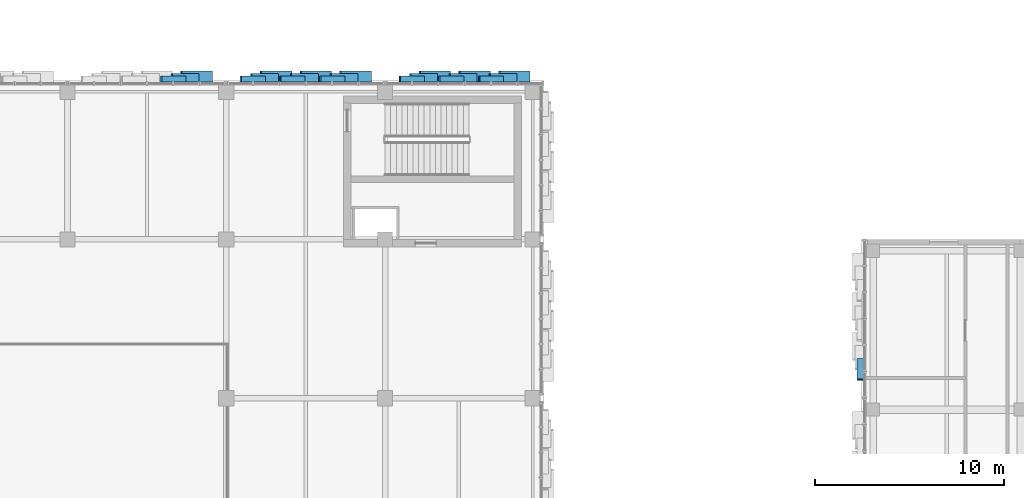
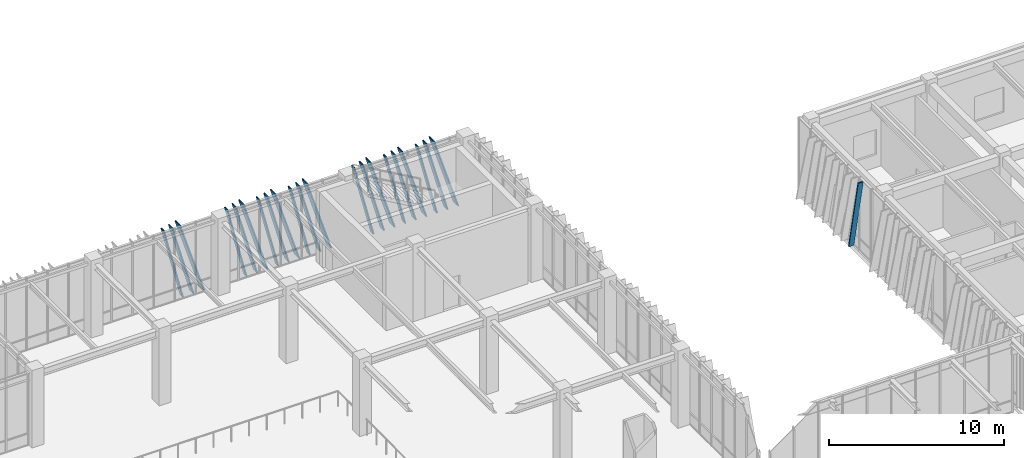
# One storey, part 73 of 139: 22 members, 4 elements without a shape of their own.
"""IFC4 building model written with IfcOpenShell, lengths in metres."""

from ifc_helpers import new_model, si_unit, direction, frame, origin, origin_2d, place, context, subcontext, project, spatial, hollow_rectangle, extrude, material, layer, layer_set, material_profile, profile_set, type_object, element, aggregate, save


model = new_model("IFC4")

# Units and contexts
model_context = context("Model", 3, precision=1e-05, world=origin(), true_north=direction((0.0, 1.0)))
body_context = subcontext(model_context, "Body", "Model", "MODEL_VIEW")
ifc_project = project(units=[si_unit("LENGTHUNIT", "METRE"), si_unit("AREAUNIT", "SQUARE_METRE"), si_unit("VOLUMEUNIT", "CUBIC_METRE"), si_unit("PLANEANGLEUNIT", "RADIAN"), si_unit("MASSUNIT", "GRAM", prefix="KILO")], contexts=[model_context])

# Site, building, storey
site_placement = place(None, origin())
site = spatial("IfcSite", under=ifc_project, at=site_placement, CompositionType="ELEMENT")
building_placement = place(site_placement, origin())
building = spatial("IfcBuilding", under=site, at=building_placement, Name="Zayran Congress Hotel", CompositionType="ELEMENT")
storey_placement = place(building_placement, frame((0.0, 0.0, 5.39990234375)))
storey = spatial("IfcBuildingStorey", under=building, at=storey_placement, Name="L01", CompositionType="ELEMENT", Elevation=5.39990234375)

# Curtain wall, member
ifc_material_1 = material(Name="Anodised aluminium and low-E insulated glass", Category="aluminium")
ifc_layer_1 = layer(ifc_material_1, 0.179931640625)
ifc_layer_set_1 = layer_set([ifc_layer_1], Name="Anodised aluminium and low-E insulated glass")
curtain_wall_type_1 = type_object("IfcCurtainWallType", Name="CW-V1N-L01-CW-22-8360-5080", PredefinedType="USERDEFINED", material=ifc_layer_set_1)
curtain_wall_1_placement = place(storey_placement, origin())
curtain_wall_1 = element("IfcCurtainWall", 1, at=curtain_wall_1_placement, inside=storey, type_object=curtain_wall_type_1, Name="CW-V1N-L01-7", ObjectType="CURTAIN WALL", PredefinedType="USERDEFINED")
ifc_material_2 = material(Name="Warm bronze anodised aluminium", Category="aluminium")
ifc_material_profile_1 = material_profile(ifc_material_2, hollow_rectangle(XDim=0.080078125, YDim=0.580078125, WallThickness=0.006103515625, at=origin_2d()), Name="RHS 580x80x6")
ifc_profile_set_1 = profile_set([ifc_material_profile_1], Name="Warm bronze anodised aluminium")
member_type_1 = type_object("IfcMemberType", Name="TP-RFN-01", PredefinedType="MULLION", material=ifc_profile_set_1)
member_1_placement = place(storey_placement, frame((74.830078125, 118.199951171875, 0.0), z_axis=(-0.300716755525, 0.0, 0.953713496259), x_axis=(0.953713496259, 0.0, 0.300716755525)))
member_1 = element("IfcMember", 2, at=member_1_placement, type_object=member_type_1, Name="Slanting Reed Mullion CW-22-01", PredefinedType="MULLION", context=body_context, shape_type="SweptSolid", body=[
    extrude(hollow_rectangle(XDim=0.080078125, YDim=0.580078125, WallThickness=0.006103515625, at=origin_2d()), origin(), (0.0, 0.0, 1.0), 5.32666015625),
])

# Curtain wall, members
ifc_layer_2 = layer(ifc_material_1, 0.179931640625)
ifc_layer_set_2 = layer_set([ifc_layer_2], Name="Anodised aluminium and low-E insulated glass")
curtain_wall_type_2 = type_object("IfcCurtainWallType", Name="CW-V1N-L01-CW-23-8360-5080", PredefinedType="USERDEFINED", material=ifc_layer_set_2)
curtain_wall_2_placement = place(storey_placement, origin())
curtain_wall_2 = element("IfcCurtainWall", 3, at=curtain_wall_2_placement, inside=storey, type_object=curtain_wall_type_2, Name="CW-V1N-L01-8", ObjectType="CURTAIN WALL", PredefinedType="USERDEFINED")
member_2_placement = place(storey_placement, frame((83.22998046875, 118.199951171875, 0.0), z_axis=(-0.300675065474, 0.0, 0.953726640606), x_axis=(0.953726640606, 0.0, 0.300675065474)))
member_2 = element("IfcMember", 4, at=member_2_placement, type_object=member_type_1, Name="Slanting Reed Mullion CW-23-01", PredefinedType="MULLION", context=body_context, shape_type="SweptSolid", body=[
    extrude(hollow_rectangle(XDim=0.080078125, YDim=0.580078125, WallThickness=0.006103515625, at=origin_2d()), origin(), (0.0, 0.0, 1.0), 5.32666015625),
])
member_3_placement = place(storey_placement, frame((81.1298828125, 118.199951171875, 0.0), z_axis=(-0.300675065474, 0.0, 0.953726640606), x_axis=(0.953726640606, 0.0, 0.300675065474)))
member_3 = element("IfcMember", 5, at=member_3_placement, type_object=member_type_1, Name="Slanting Reed Mullion CW-23-04", PredefinedType="MULLION", context=body_context, shape_type="SweptSolid", body=[
    extrude(hollow_rectangle(XDim=0.080078125, YDim=0.580078125, WallThickness=0.006103515625, at=origin_2d()), origin(), (0.0, 0.0, 1.0), 5.32666015625),
])
member_4_placement = place(storey_placement, frame((79.030029296875, 118.199951171875, 0.0), z_axis=(-0.300716755525, 0.0, 0.953713496259), x_axis=(0.953713496259, 0.0, 0.300716755525)))
member_4 = element("IfcMember", 6, at=member_4_placement, type_object=member_type_1, Name="Slanting Reed Mullion CW-23-07", PredefinedType="MULLION", context=body_context, shape_type="SweptSolid", body=[
    extrude(hollow_rectangle(XDim=0.080078125, YDim=0.580078125, WallThickness=0.006103515625, at=origin_2d()), origin(), (0.0, 0.0, 1.0), 5.32666015625),
])

ifc_layer_3 = layer(ifc_material_1, 0.179931640625)
ifc_layer_set_3 = layer_set([ifc_layer_3], Name="Anodised aluminium and low-E insulated glass")
curtain_wall_type_3 = type_object("IfcCurtainWallType", Name="CW-V1N-L01-CW-21-8360-5080", PredefinedType="USERDEFINED", material=ifc_layer_set_3)
curtain_wall_3_placement = place(storey_placement, origin())
curtain_wall_3 = element("IfcCurtainWall", 7, at=curtain_wall_3_placement, inside=storey, type_object=curtain_wall_type_3, Name="CW-V1N-L01-9", ObjectType="CURTAIN WALL", PredefinedType="USERDEFINED")
member_5_placement = place(storey_placement, frame((91.6298828125, 118.199951171875, 0.0), z_axis=(-0.300675065474, 0.0, 0.953726640606), x_axis=(0.953726640606, 0.0, 0.300675065474)))
member_5 = element("IfcMember", 8, at=member_5_placement, type_object=member_type_1, Name="Slanting Reed Mullion CW-21-01", PredefinedType="MULLION", context=body_context, shape_type="SweptSolid", body=[
    extrude(hollow_rectangle(XDim=0.080078125, YDim=0.580078125, WallThickness=0.006103515625, at=origin_2d()), origin(), (0.0, 0.0, 1.0), 5.32666015625),
])
member_6_placement = place(storey_placement, frame((89.530029296875, 118.199951171875, 0.0), z_axis=(-0.300716755525, 0.0, 0.953713496259), x_axis=(0.953713496259, 0.0, 0.300716755525)))
member_6 = element("IfcMember", 9, at=member_6_placement, type_object=member_type_1, Name="Slanting Reed Mullion CW-21-04", PredefinedType="MULLION", context=body_context, shape_type="SweptSolid", body=[
    extrude(hollow_rectangle(XDim=0.080078125, YDim=0.580078125, WallThickness=0.006103515625, at=origin_2d()), origin(), (0.0, 0.0, 1.0), 5.32666015625),
])
member_7_placement = place(storey_placement, frame((87.429931640625, 118.199951171875, 0.0), z_axis=(-0.300675065474, 0.0, 0.953726640606), x_axis=(0.953726640606, 0.0, 0.300675065474)))
member_7 = element("IfcMember", 10, at=member_7_placement, type_object=member_type_1, Name="Slanting Reed Mullion CW-21-07", PredefinedType="MULLION", context=body_context, shape_type="SweptSolid", body=[
    extrude(hollow_rectangle(XDim=0.080078125, YDim=0.580078125, WallThickness=0.006103515625, at=origin_2d()), origin(), (0.0, 0.0, 1.0), 5.32666015625),
])

# Member
ifc_material_profile_2 = material_profile(ifc_material_2, hollow_rectangle(XDim=0.080078125, YDim=0.449951171875, WallThickness=0.006103515625, at=origin_2d()), Name="RHS 450x80x6")
ifc_profile_set_2 = profile_set([ifc_material_profile_2], Name="Warm bronze anodised aluminium")
member_type_2 = type_object("IfcMemberType", Name="TP-RFN-02", PredefinedType="MULLION", material=ifc_profile_set_2)
member_8_placement = place(storey_placement, frame((74.1298828125, 118.135009765625, 0.0), z_axis=(-0.267213902124, 0.0, 0.963637240102), x_axis=(0.963637240102, 0.0, 0.267213902124)))
member_8 = element("IfcMember", 11, at=member_8_placement, type_object=member_type_2, Name="Slanting Reed Mullion CW-22-02", PredefinedType="MULLION", context=body_context, shape_type="SweptSolid", body=[
    extrude(hollow_rectangle(XDim=0.080078125, YDim=0.449951171875, WallThickness=0.006103515625, at=origin_2d()), origin(), (0.0, 0.0, 1.0), 5.271728515625),
])

member_9_placement = place(storey_placement, frame((82.530029296875, 118.135009765625, 0.0), z_axis=(-0.267256905477, 0.0, 0.96362531436), x_axis=(0.96362531436, 0.0, 0.267256905477)))
member_9 = element("IfcMember", 12, at=member_9_placement, type_object=member_type_2, Name="Slanting Reed Mullion CW-23-02", PredefinedType="MULLION", context=body_context, shape_type="SweptSolid", body=[
    extrude(hollow_rectangle(XDim=0.080078125, YDim=0.449951171875, WallThickness=0.006103515625, at=origin_2d()), origin(), (0.0, 0.0, 1.0), 5.271728515625),
])

member_10_placement = place(storey_placement, frame((80.429931640625, 118.135009765625, 0.0), z_axis=(-0.267213902124, 0.0, 0.963637240102), x_axis=(0.963637240102, 0.0, 0.267213902124)))
member_10 = element("IfcMember", 13, at=member_10_placement, type_object=member_type_2, Name="Slanting Reed Mullion CW-23-05", PredefinedType="MULLION", context=body_context, shape_type="SweptSolid", body=[
    extrude(hollow_rectangle(XDim=0.080078125, YDim=0.449951171875, WallThickness=0.006103515625, at=origin_2d()), origin(), (0.0, 0.0, 1.0), 5.271728515625),
])

member_11_placement = place(storey_placement, frame((78.330078125, 118.135009765625, 0.0), z_axis=(-0.267256905477, 0.0, 0.96362531436), x_axis=(0.96362531436, 0.0, 0.267256905477)))
member_11 = element("IfcMember", 14, at=member_11_placement, type_object=member_type_2, Name="Slanting Reed Mullion CW-23-08", PredefinedType="MULLION", context=body_context, shape_type="SweptSolid", body=[
    extrude(hollow_rectangle(XDim=0.080078125, YDim=0.449951171875, WallThickness=0.006103515625, at=origin_2d()), origin(), (0.0, 0.0, 1.0), 5.271728515625),
])

member_12_placement = place(storey_placement, frame((90.929931640625, 118.135009765625, 0.0), z_axis=(-0.267213902124, 0.0, 0.963637240102), x_axis=(0.963637240102, 0.0, 0.267213902124)))
member_12 = element("IfcMember", 15, at=member_12_placement, type_object=member_type_2, Name="Slanting Reed Mullion CW-21-02", PredefinedType="MULLION", context=body_context, shape_type="SweptSolid", body=[
    extrude(hollow_rectangle(XDim=0.080078125, YDim=0.449951171875, WallThickness=0.006103515625, at=origin_2d()), origin(), (0.0, 0.0, 1.0), 5.271728515625),
])

member_13_placement = place(storey_placement, frame((88.830078125, 118.135009765625, 0.0), z_axis=(-0.267256905477, 0.0, 0.96362531436), x_axis=(0.96362531436, 0.0, 0.267256905477)))
member_13 = element("IfcMember", 16, at=member_13_placement, type_object=member_type_2, Name="Slanting Reed Mullion CW-21-05", PredefinedType="MULLION", context=body_context, shape_type="SweptSolid", body=[
    extrude(hollow_rectangle(XDim=0.080078125, YDim=0.449951171875, WallThickness=0.006103515625, at=origin_2d()), origin(), (0.0, 0.0, 1.0), 5.271728515625),
])

member_14_placement = place(storey_placement, frame((86.72998046875, 118.135009765625, 0.0), z_axis=(-0.267213902124, 0.0, 0.963637240102), x_axis=(0.963637240102, 0.0, 0.267213902124)))
member_14 = element("IfcMember", 17, at=member_14_placement, type_object=member_type_2, Name="Slanting Reed Mullion CW-21-08", PredefinedType="MULLION", context=body_context, shape_type="SweptSolid", body=[
    extrude(hollow_rectangle(XDim=0.080078125, YDim=0.449951171875, WallThickness=0.006103515625, at=origin_2d()), origin(), (0.0, 0.0, 1.0), 5.271728515625),
])

ifc_material_profile_3 = material_profile(ifc_material_2, hollow_rectangle(XDim=0.080078125, YDim=0.340087890625, WallThickness=0.006103515625, at=origin_2d()), Name="RHS 340x80x6")
ifc_profile_set_3 = profile_set([ifc_material_profile_3], Name="Warm bronze anodised aluminium")
member_type_3 = type_object("IfcMemberType", Name="TP-RFN-03", PredefinedType="MULLION", material=ifc_profile_set_3)
member_15_placement = place(storey_placement, frame((73.429931640625, 118.080078125, 0.0), z_axis=(-0.241921145618, 0.0, 0.970295913267), x_axis=(0.970295913267, 0.0, 0.241921145618)))
member_15 = element("IfcMember", 18, at=member_15_placement, type_object=member_type_3, Name="Slanting Reed Mullion CW-22-03", PredefinedType="MULLION", context=body_context, shape_type="SweptSolid", body=[
    extrude(hollow_rectangle(XDim=0.080078125, YDim=0.340087890625, WallThickness=0.006103515625, at=origin_2d()), origin(), (0.0, 0.0, 1.0), 5.235595703125),
])

aggregate(curtain_wall_1, [member_1, member_8, member_15])

member_16_placement = place(storey_placement, frame((81.830078125, 118.080078125, 0.0), z_axis=(-0.241921145618, 0.0, 0.970295913267), x_axis=(0.970295913267, 0.0, 0.241921145618)))
member_16 = element("IfcMember", 19, at=member_16_placement, type_object=member_type_3, Name="Slanting Reed Mullion CW-23-03", PredefinedType="MULLION", context=body_context, shape_type="SweptSolid", body=[
    extrude(hollow_rectangle(XDim=0.080078125, YDim=0.340087890625, WallThickness=0.006103515625, at=origin_2d()), origin(), (0.0, 0.0, 1.0), 5.235595703125),
])

member_17_placement = place(storey_placement, frame((79.72998046875, 118.080078125, 0.0), z_axis=(-0.241921145618, 0.0, 0.970295913267), x_axis=(0.970295913267, 0.0, 0.241921145618)))
member_17 = element("IfcMember", 20, at=member_17_placement, type_object=member_type_3, Name="Slanting Reed Mullion CW-23-06", PredefinedType="MULLION", context=body_context, shape_type="SweptSolid", body=[
    extrude(hollow_rectangle(XDim=0.080078125, YDim=0.340087890625, WallThickness=0.006103515625, at=origin_2d()), origin(), (0.0, 0.0, 1.0), 5.235595703125),
])

member_18_placement = place(storey_placement, frame((77.6298828125, 118.080078125, 0.0), z_axis=(-0.241921145618, 0.0, 0.970295913267), x_axis=(0.970295913267, 0.0, 0.241921145618)))
member_18 = element("IfcMember", 21, at=member_18_placement, type_object=member_type_3, Name="Slanting Reed Mullion CW-23-09", PredefinedType="MULLION", context=body_context, shape_type="SweptSolid", body=[
    extrude(hollow_rectangle(XDim=0.080078125, YDim=0.340087890625, WallThickness=0.006103515625, at=origin_2d()), origin(), (0.0, 0.0, 1.0), 5.235595703125),
])

aggregate(curtain_wall_2, [member_2, member_9, member_16, member_3, member_10, member_17, member_4, member_11, member_18])

member_19_placement = place(storey_placement, frame((90.22998046875, 118.080078125, 0.0), z_axis=(-0.241921145618, 0.0, 0.970295913267), x_axis=(0.970295913267, 0.0, 0.241921145618)))
member_19 = element("IfcMember", 22, at=member_19_placement, type_object=member_type_3, Name="Slanting Reed Mullion CW-21-03", PredefinedType="MULLION", context=body_context, shape_type="SweptSolid", body=[
    extrude(hollow_rectangle(XDim=0.080078125, YDim=0.340087890625, WallThickness=0.006103515625, at=origin_2d()), origin(), (0.0, 0.0, 1.0), 5.235595703125),
])

member_20_placement = place(storey_placement, frame((88.1298828125, 118.080078125, 0.0), z_axis=(-0.241921145618, 0.0, 0.970295913267), x_axis=(0.970295913267, 0.0, 0.241921145618)))
member_20 = element("IfcMember", 23, at=member_20_placement, type_object=member_type_3, Name="Slanting Reed Mullion CW-21-06", PredefinedType="MULLION", context=body_context, shape_type="SweptSolid", body=[
    extrude(hollow_rectangle(XDim=0.080078125, YDim=0.340087890625, WallThickness=0.006103515625, at=origin_2d()), origin(), (0.0, 0.0, 1.0), 5.235595703125),
])

member_21_placement = place(storey_placement, frame((86.030029296875, 118.080078125, 0.0), z_axis=(-0.241921145618, 0.0, 0.970295913267), x_axis=(0.970295913267, 0.0, 0.241921145618)))
member_21 = element("IfcMember", 24, at=member_21_placement, type_object=member_type_3, Name="Slanting Reed Mullion CW-21-09", PredefinedType="MULLION", context=body_context, shape_type="SweptSolid", body=[
    extrude(hollow_rectangle(XDim=0.080078125, YDim=0.340087890625, WallThickness=0.006103515625, at=origin_2d()), origin(), (0.0, 0.0, 1.0), 5.235595703125),
])

aggregate(curtain_wall_3, [member_5, member_12, member_19, member_6, member_13, member_20, member_7, member_14, member_21])

# Curtain wall, member
ifc_layer_4 = layer(ifc_material_1, 0.179931640625)
ifc_layer_set_4 = layer_set([ifc_layer_4], Name="Anodised aluminium and low-E insulated glass")
curtain_wall_type_4 = type_object("IfcCurtainWallType", Name="CW-V4W-L01-CW-52-8376-5100", PredefinedType="USERDEFINED", material=ifc_layer_set_4)
curtain_wall_4_placement = place(storey_placement, origin())
curtain_wall_4 = element("IfcCurtainWall", 25, at=curtain_wall_4_placement, inside=storey, type_object=curtain_wall_type_4, Name="CW-V4W-L01-7", ObjectType="CURTAIN WALL", PredefinedType="USERDEFINED")
member_22_placement = place(storey_placement, frame((109.1201171875, 103.25, 0.0), z_axis=(0.0, -0.207897956377, 0.978150519979), x_axis=(0.0, 0.978150519979, 0.207897956377)))
member_22 = element("IfcMember", 26, at=member_22_placement, type_object=member_type_3, Name="Slanting Reed Mullion CW-52-09", PredefinedType="MULLION", context=body_context, shape_type="SweptSolid", body=[
    extrude(hollow_rectangle(XDim=0.080078125, YDim=0.340087890625, WallThickness=0.006103515625, at=origin_2d()), origin(), (0.0, 0.0, 1.0), 5.214111328125),
])
aggregate(curtain_wall_4, [member_22])

save(model, "model.ifc")
